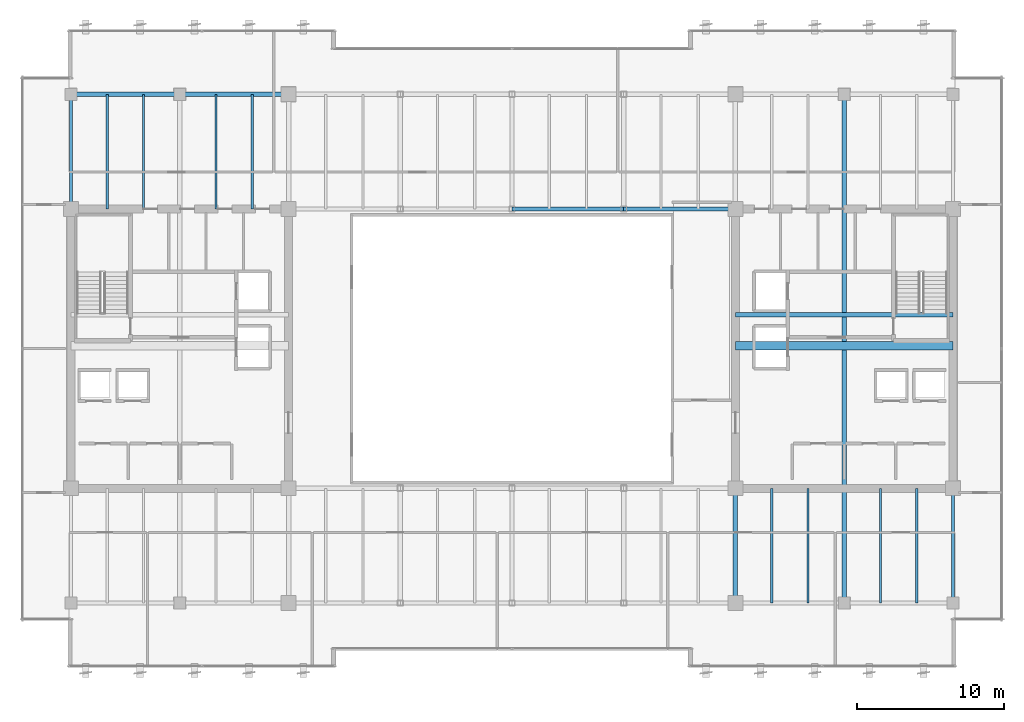
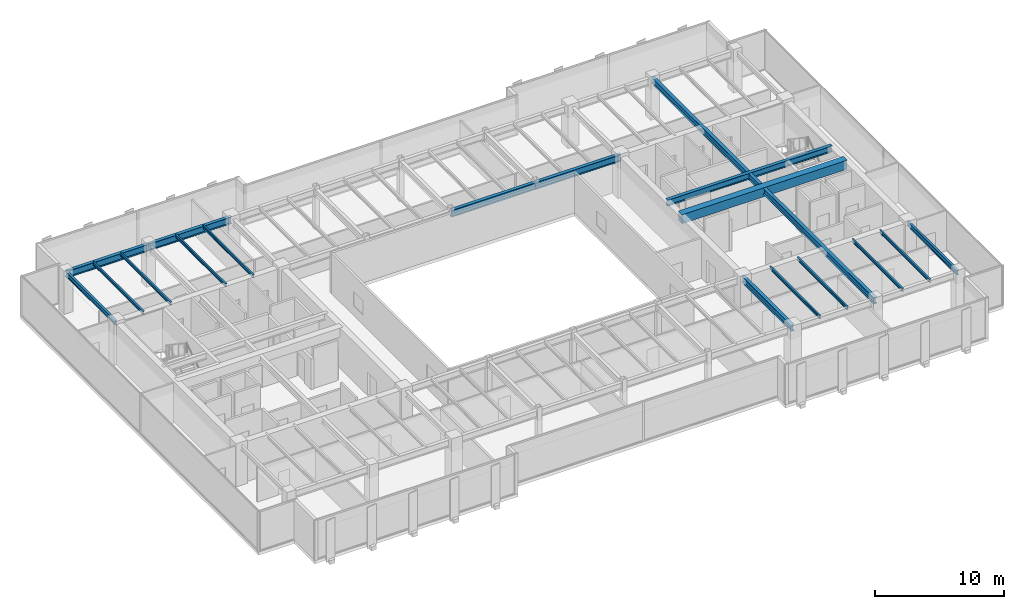
# One storey, part 14 of 36: 18 beams.
"""IFC4 building model written with IfcOpenShell, lengths in metres."""

from ifc_helpers import new_model, si_unit, direction, frame, origin, origin_2d, place, context, subcontext, project, spatial, rectangle, i_section, extrude, source, transform, mapped, material, material_profile, profile_set, type_object, type_shapes, element, save


model = new_model("IFC4")

# Units and contexts
model_context = context("Model", 3, precision=1e-05, world=origin(), true_north=direction((0.0, 1.0)))
body_context = subcontext(model_context, "Body", "Model", "MODEL_VIEW")
ifc_project = project(units=[si_unit("LENGTHUNIT", "METRE"), si_unit("AREAUNIT", "SQUARE_METRE"), si_unit("VOLUMEUNIT", "CUBIC_METRE"), si_unit("PLANEANGLEUNIT", "RADIAN"), si_unit("MASSUNIT", "GRAM", prefix="KILO")], contexts=[model_context])

# Site, building, storey
site_placement = place(None, origin())
site = spatial("IfcSite", under=ifc_project, at=site_placement, CompositionType="ELEMENT")
building_placement = place(site_placement, origin())
building = spatial("IfcBuilding", under=site, at=building_placement, Name="Haelvirn Gate Laboratories", CompositionType="ELEMENT")
storey_placement = place(building_placement, frame((0.0, 0.0, 242.39990234375)))
storey = spatial("IfcBuildingStorey", under=building, at=storey_placement, Name="L58", CompositionType="ELEMENT", Elevation=242.39990234375)

# Beams
ifc_material_1 = material(Name="Steel SM355", Category="steel")
ifc_material_profile_1 = material_profile(ifc_material_1, i_section(OverallWidth=0.300048828125, OverallDepth=0.587890625, WebThickness=0.011962890625, FlangeThickness=0.02001953125, at=origin_2d()), Name="H-588x300x12x20")
ifc_profile_set_1 = profile_set([ifc_material_profile_1], Name="Steel SM355")
beam_type_1 = type_object("IfcBeamType", Name="BM-G-588", PredefinedType="BEAM", material=ifc_profile_set_1)
shared_shape_1 = source(origin(), body_context, "Body", "SweptSolid", [
    extrude(i_section(OverallWidth=0.300048828125, OverallDepth=0.587890625, WebThickness=0.011962890625, FlangeThickness=0.02001953125, at=origin_2d()), origin(), (0.0, 0.0, 1.0), 14.7998046875),
])
beam_1_placement = place(storey_placement, frame((52.60009765625, 26.6201171875, 3.506103515625), z_axis=(1.0, 0.0, 0.0), x_axis=(0.0, 1.0, 0.0)))
element("IfcBeam", 1, at=beam_1_placement, inside=storey, type_object=beam_type_1, Name="L58 Stair ST2 Landing Header", PredefinedType="BEAM", context=body_context, shape_type="MappedRepresentation", body=[
    mapped(shared_shape_1, transform((0.0, 0.0, 0.0), scale=1.0)),
])
ifc_material_profile_2 = material_profile(ifc_material_1, i_section(OverallWidth=0.14990234375, OverallDepth=0.300048828125, WebThickness=0.006591796875, FlangeThickness=0.009033203125, at=origin_2d()), Name="H-300x150x6.5x9")
ifc_profile_set_2 = profile_set([ifc_material_profile_2], Name="Steel SM355")
beam_type_2 = type_object("IfcBeamType", Name="BM-J-300", PredefinedType="JOIST", material=ifc_profile_set_2)
shared_shape_2 = source(origin(), body_context, "Body", "SweptSolid", [
    extrude(i_section(OverallWidth=0.14990234375, OverallDepth=0.300048828125, WebThickness=0.006591796875, FlangeThickness=0.009033203125, at=origin_2d()), origin(), (0.0, 0.0, 1.0), 7.800048828125),
])
type_shapes(beam_type_2, [shared_shape_2])
for number, where, z_axis, x_axis, name in (
    (2, (9.8701171875, 33.800048828125, 3.650146484375), (0.0, 1.0, 0.0), (-1.0, 0.0, 0.0), "L58 Composite Lab Joist North X9.87"),
    (3, (12.330078125, 33.800048828125, 3.650146484375), (0.0, 1.0, 0.0), (-1.0, 0.0, 0.0), "L58 Composite Lab Joist North X12.33"),
    (4, (17.27001953125, 33.800048828125, 3.650146484375), (0.0, 1.0, 0.0), (-1.0, 0.0, 0.0), "L58 Composite Lab Joist North X17.27"),
    (5, (19.72998046875, 33.800048828125, 3.650146484375), (0.0, 1.0, 0.0), (-1.0, 0.0, 0.0), "L58 Composite Lab Joist North X19.73"),
    (6, (55.070068359375, 7.0, 3.650146484375), (0.0, 1.0, 0.0), (-1.0, 0.0, 0.0), "L58 Composite Lab Joist South X55.07"),
    (7, (57.530029296875, 7.0, 3.650146484375), (0.0, 1.0, 0.0), (-1.0, 0.0, 0.0), "L58 Composite Lab Joist South X57.53"),
    (8, (62.469970703125, 7.0, 3.650146484375), (0.0, 1.0, 0.0), (-1.0, 0.0, 0.0), "L58 Composite Lab Joist South X62.47"),
    (9, (64.929931640625, 7.0, 3.650146484375), (0.0, 1.0, 0.0), (-1.0, 0.0, 0.0), "L58 Composite Lab Joist South X64.93"),
):
    element("IfcBeam", number, at=place(storey_placement, frame(where, z_axis=z_axis, x_axis=x_axis)), inside=storey, type_object=beam_type_2, Name=name, PredefinedType="JOIST", context=body_context, shape_type="MappedRepresentation", body=[
        mapped(shared_shape_2, transform((0.0, 0.0, 0.0), scale=1.0)),
    ])
shared_shape_3 = source(origin(), body_context, "Body", "SweptSolid", [
    extrude(i_section(OverallWidth=0.300048828125, OverallDepth=0.587890625, WebThickness=0.011962890625, FlangeThickness=0.02001953125, at=origin_2d()), origin(), (0.0, 0.0, 1.0), 34.60009765625),
])
beam_2_placement = place(storey_placement, frame((60.0, 7.0, 3.506103515625), z_axis=(0.0, 1.0, 0.0), x_axis=(-1.0, 0.0, 0.0)))
element("IfcBeam", 10, at=beam_2_placement, inside=storey, type_object=beam_type_1, Name="L58 Frame Girder X60.0 (7.0-41.6)", PredefinedType="BEAM", context=body_context, shape_type="MappedRepresentation", body=[
    mapped(shared_shape_3, transform((0.0, 0.0, 0.0), scale=1.0)),
])
shared_shape_4 = source(origin(), body_context, "Body", "SweptSolid", [
    extrude(i_section(OverallWidth=0.300048828125, OverallDepth=0.587890625, WebThickness=0.011962890625, FlangeThickness=0.02001953125, at=origin_2d()), origin(), (0.0, 0.0, 1.0), 7.800048828125),
])
type_shapes(beam_type_1, [shared_shape_1, shared_shape_3, shared_shape_4])
beam_3_placement = place(storey_placement, frame((52.60009765625, 7.0, 3.506103515625), z_axis=(0.0, 1.0, 0.0), x_axis=(-1.0, 0.0, 0.0)))
element("IfcBeam", 11, at=beam_3_placement, inside=storey, type_object=beam_type_1, Name="L58 Frame Girder X52.6 (7.0-14.8)", PredefinedType="BEAM", context=body_context, shape_type="MappedRepresentation", body=[
    mapped(shared_shape_4, transform((0.0, 0.0, 0.0), scale=1.0)),
])
ifc_material_2 = material(Name="Concrete C50/60", Category="concrete")
ifc_material_profile_3 = material_profile(ifc_material_2, rectangle(XDim=0.60009765625, YDim=0.85009765625, at=origin_2d()), Name="RCB-600x850")
ifc_profile_set_3 = profile_set([ifc_material_profile_3], Name="Concrete C50/60")
beam_type_3 = type_object("IfcBeamType", Name="BM-RCB-850", PredefinedType="LINTEL", material=ifc_profile_set_3)
shared_shape_5 = source(origin(), body_context, "Body", "SweptSolid", [
    extrude(rectangle(XDim=0.60009765625, YDim=0.85009765625, at=origin_2d()), origin(), (0.0, 0.0, 1.0), 14.7998046875),
])
type_shapes(beam_type_3, [shared_shape_5])
beam_4_placement = place(storey_placement, frame((52.60009765625, 24.5, 3.375), z_axis=(1.0, 0.0, 0.0), x_axis=(0.0, 1.0, 0.0)))
element("IfcBeam", 12, at=beam_4_placement, inside=storey, type_object=beam_type_3, Name="L58 East Core Coupling Beam", PredefinedType="LINTEL", context=body_context, shape_type="MappedRepresentation", body=[
    mapped(shared_shape_5, transform((0.0, 0.0, 0.0), scale=1.0)),
])
ifc_material_profile_4 = material_profile(ifc_material_1, i_section(OverallWidth=0.300048828125, OverallDepth=0.64990234375, WebThickness=0.012939453125, FlangeThickness=0.02197265625, at=origin_2d()), Name="H-650x300x13x22")
ifc_profile_set_4 = profile_set([ifc_material_profile_4], Name="Steel SM355")
beam_type_4 = type_object("IfcBeamType", Name="BM-G-650", PredefinedType="BEAM", material=ifc_profile_set_4)
shared_shape_6 = source(origin(), body_context, "Body", "SweptSolid", [
    extrude(i_section(OverallWidth=0.300048828125, OverallDepth=0.64990234375, WebThickness=0.012939453125, FlangeThickness=0.02197265625, at=origin_2d()), origin(), (0.0, 0.0, 1.0), 7.400146484375),
])
beam_5_placement = place(storey_placement, frame((7.39990234375, 41.60009765625, 3.47509765625), z_axis=(1.0, 0.0, 0.0), x_axis=(0.0, 1.0, 0.0)))
element("IfcBeam", 13, at=beam_5_placement, inside=storey, type_object=beam_type_4, Name="L58 Primary Girder Y41.6 (7.4-14.8)", PredefinedType="BEAM", context=body_context, shape_type="MappedRepresentation", body=[
    mapped(shared_shape_6, transform((0.0, 0.0, 0.0), scale=1.0)),
])
shared_shape_7 = source(origin(), body_context, "Body", "SweptSolid", [
    extrude(i_section(OverallWidth=0.300048828125, OverallDepth=0.64990234375, WebThickness=0.012939453125, FlangeThickness=0.02197265625, at=origin_2d()), origin(), (0.0, 0.0, 1.0), 7.39990234375),
])
beam_6_placement = place(storey_placement, frame((14.800048828125, 41.60009765625, 3.47509765625), z_axis=(1.0, 0.0, 0.0), x_axis=(0.0, 1.0, 0.0)))
element("IfcBeam", 14, at=beam_6_placement, inside=storey, type_object=beam_type_4, Name="L58 Primary Girder Y41.6 (14.8-22.2)", PredefinedType="BEAM", context=body_context, shape_type="MappedRepresentation", body=[
    mapped(shared_shape_7, transform((0.0, 0.0, 0.0), scale=1.0)),
])
shared_shape_8 = source(origin(), body_context, "Body", "SweptSolid", [
    extrude(i_section(OverallWidth=0.300048828125, OverallDepth=0.64990234375, WebThickness=0.012939453125, FlangeThickness=0.02197265625, at=origin_2d()), origin(), (0.0, 0.0, 1.0), 7.60009765625),
])
type_shapes(beam_type_4, [shared_shape_6, shared_shape_7, shared_shape_8])
for number, where, z_axis, x_axis, name in (
    (15, (37.39990234375, 33.800048828125, 3.47509765625), (1.0, 0.0, 0.0), (0.0, 1.0, 0.0), "L58 Primary Girder Y33.8 (37.4-45.0)"),
    (16, (45.0, 33.800048828125, 3.47509765625), (1.0, 0.0, 0.0), (0.0, 1.0, 0.0), "L58 Primary Girder Y33.8 (45.0-52.6)"),
):
    element("IfcBeam", number, at=place(storey_placement, frame(where, z_axis=z_axis, x_axis=x_axis)), inside=storey, type_object=beam_type_4, Name=name, PredefinedType="BEAM", context=body_context, shape_type="MappedRepresentation", body=[
        mapped(shared_shape_8, transform((0.0, 0.0, 0.0), scale=1.0)),
    ])
ifc_material_profile_5 = material_profile(ifc_material_1, i_section(OverallWidth=0.199951171875, OverallDepth=0.449951171875, WebThickness=0.009033203125, FlangeThickness=0.013916015625, at=origin_2d()), Name="H-450x200x9x14")
ifc_profile_set_5 = profile_set([ifc_material_profile_5], Name="Steel SM355")
beam_type_5 = type_object("IfcBeamType", Name="BM-SP-450", PredefinedType="SPANDREL", material=ifc_profile_set_5)
shared_shape_9 = source(origin(), body_context, "Body", "SweptSolid", [
    extrude(i_section(OverallWidth=0.199951171875, OverallDepth=0.449951171875, WebThickness=0.009033203125, FlangeThickness=0.013916015625, at=origin_2d()), origin(), (0.0, 0.0, 1.0), 7.800048828125),
])
type_shapes(beam_type_5, [shared_shape_9])
for number, where, z_axis, x_axis, name in (
    (17, (7.39990234375, 33.800048828125, 3.5751953125), (0.0, 1.0, 0.0), (-1.0, 0.0, 0.0), "L58 Perimeter Spandrel X7.4 (33.8-41.6)"),
    (18, (67.39990234375, 7.0, 3.5751953125), (0.0, 1.0, 0.0), (-1.0, 0.0, 0.0), "L58 Perimeter Spandrel X67.4 (7.0-14.8)"),
):
    element("IfcBeam", number, at=place(storey_placement, frame(where, z_axis=z_axis, x_axis=x_axis)), inside=storey, type_object=beam_type_5, Name=name, PredefinedType="SPANDREL", context=body_context, shape_type="MappedRepresentation", body=[
        mapped(shared_shape_9, transform((0.0, 0.0, 0.0), scale=1.0)),
    ])

save(model, "model.ifc")
